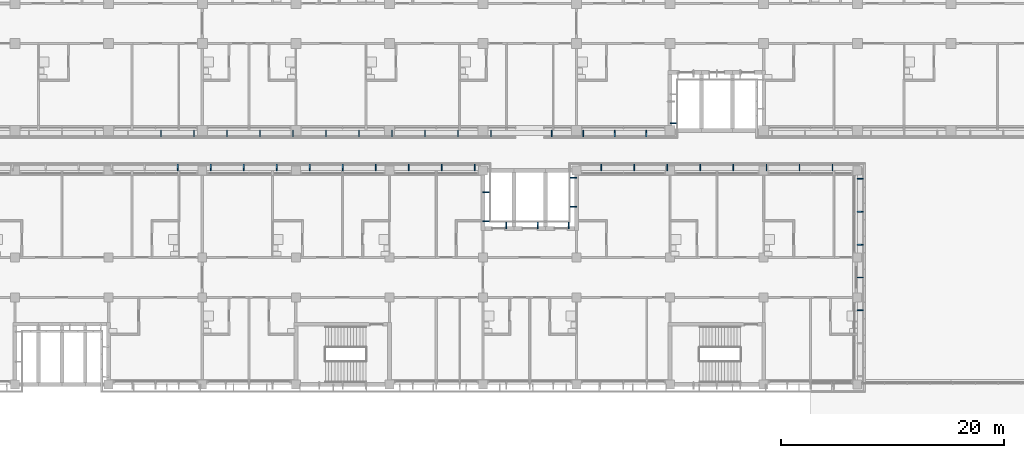
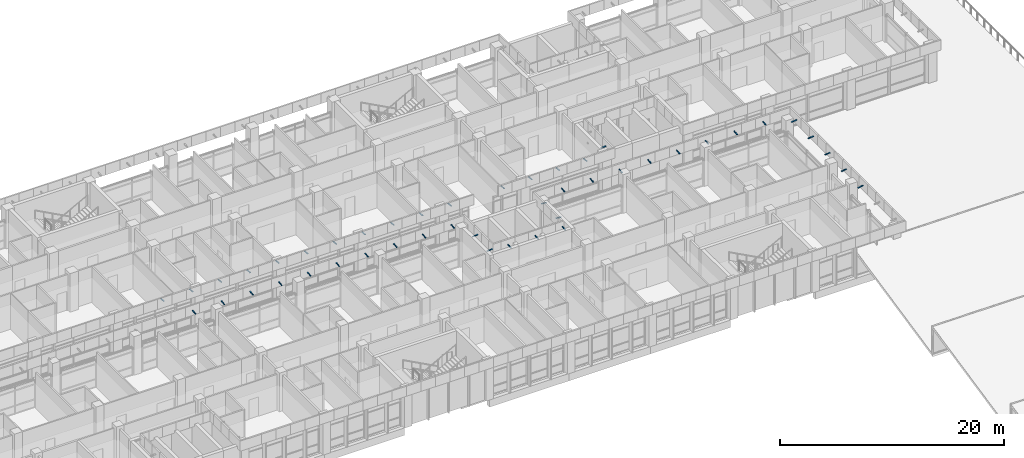
# One storey, part 106 of 137: 46 discrete accessories.
"""IFC4 building model written with IfcOpenShell, lengths in metres."""

from ifc_helpers import new_model, si_unit, direction, frame, origin, origin_2d, place, context, subcontext, project, spatial, rectangle, extrude, material, material_profile, profile_set, type_object, element, save


model = new_model("IFC4")

# Units and contexts
model_context = context("Model", 3, precision=1e-05, world=origin(), true_north=direction((0.0, 1.0)))
body_context = subcontext(model_context, "Body", "Model", "MODEL_VIEW")
ifc_project = project(units=[si_unit("LENGTHUNIT", "METRE"), si_unit("AREAUNIT", "SQUARE_METRE"), si_unit("VOLUMEUNIT", "CUBIC_METRE"), si_unit("PLANEANGLEUNIT", "RADIAN"), si_unit("MASSUNIT", "GRAM", prefix="KILO")], contexts=[model_context])

# Site, building, storey
site_placement = place(None, origin())
site = spatial("IfcSite", under=ifc_project, at=site_placement, CompositionType="ELEMENT")
building_placement = place(site_placement, origin())
building = spatial("IfcBuilding", under=site, at=building_placement, Name="Bougainvillea Quay General Hospital", CompositionType="ELEMENT")
storey_placement = place(building_placement, frame((0.0, 0.0, 16.800048828125)))
storey = spatial("IfcBuildingStorey", under=building, at=storey_placement, Name="L03", CompositionType="ELEMENT", Elevation=16.800048828125)

# Discrete accessories
ifc_material = material(Name="Stainless steel bracket, grade 316", Category="steel")
ifc_material_profile = material_profile(ifc_material, rectangle(XDim=0.080078125, YDim=0.050048828125, at=origin_2d()))
ifc_profile_set = profile_set([ifc_material_profile], Name="Stainless steel bracket, grade 316")
discrete_accessory_type = type_object("IfcDiscreteAccessoryType", Name="Stainless steel stand-off bracket 80x50", PredefinedType="BRACKET", material=ifc_profile_set)
for number, where, z_axis, x_axis, name in (
    (1, (140.56884765625, 140.39990234375, 4.139892578125), (0.0, -0.994086591779, 0.108590276011), (1.0, 0.0, 0.0), "Fascia bracket e0 1"),
    (2, (143.40380859375, 140.39990234375, 4.139892578125), (0.0, -0.994086591779, 0.108590276011), (1.0, 0.0, 0.0), "Fascia bracket e0 3"),
    (3, (146.23876953125, 140.39990234375, 4.139892578125), (0.0, -0.994086591779, 0.108590276011), (1.0, 0.0, 0.0), "Fascia bracket e0 5"),
    (4, (149.07373046875, 140.39990234375, 4.139892578125), (0.0, -0.994086591779, 0.108590276011), (1.0, 0.0, 0.0), "Fascia bracket e0 7"),
):
    element("IfcDiscreteAccessory", number, at=place(storey_placement, frame(where, z_axis=z_axis, x_axis=x_axis)), inside=storey, type_object=discrete_accessory_type, Name=name, PredefinedType="BRACKET", context=body_context, shape_type="SweptSolid", body=[
        extrude(rectangle(XDim=0.080078125, YDim=0.050048828125, at=origin_2d()), origin(), (0.0, 0.0, 1.0), 0.552978515625),
    ])
discrete_accessory_placement = place(storey_placement, frame((151.199951171875, 141.050048828125, 4.139892578125), z_axis=(0.994091793559, 0.0, 0.108542645901), x_axis=(0.0, 1.0, 0.0)))
element("IfcDiscreteAccessory", 5, at=discrete_accessory_placement, inside=storey, type_object=discrete_accessory_type, Name="Fascia bracket e0 9", PredefinedType="BRACKET", context=body_context, shape_type="SweptSolid", body=[
    extrude(rectangle(XDim=0.080078125, YDim=0.050048828125, at=origin_2d()), origin(), (0.0, 0.0, 1.0), 0.55322265625),
])
for number, where, z_axis, x_axis, name in (
    (6, (105.497314453125, 140.39990234375, 4.139892578125), (0.0, -0.994086591779, 0.108590276011), (1.0, 0.0, 0.0), "Fascia bracket e1 17"),
    (7, (108.45947265625, 140.39990234375, 4.139892578125), (0.0, -0.994086591779, 0.108590276011), (1.0, 0.0, 0.0), "Fascia bracket e1 19"),
    (8, (111.421630859375, 140.39990234375, 4.139892578125), (0.0, -0.994086591779, 0.108590276011), (1.0, 0.0, 0.0), "Fascia bracket e1 21"),
    (9, (114.3837890625, 140.39990234375, 4.139892578125), (0.0, -0.994086591779, 0.108590276011), (1.0, 0.0, 0.0), "Fascia bracket e1 23"),
    (10, (117.345703125, 140.39990234375, 4.139892578125), (0.0, -0.994086591779, 0.108590276011), (1.0, 0.0, 0.0), "Fascia bracket e1 25"),
    (11, (120.307861328125, 140.39990234375, 4.139892578125), (0.0, -0.994086591779, 0.108590276011), (1.0, 0.0, 0.0), "Fascia bracket e1 27"),
    (12, (123.27001953125, 140.39990234375, 4.139892578125), (0.0, -0.994086591779, 0.108590276011), (1.0, 0.0, 0.0), "Fascia bracket e1 29"),
    (13, (126.232177734375, 140.39990234375, 4.139892578125), (0.0, -0.994086591779, 0.108590276011), (1.0, 0.0, 0.0), "Fascia bracket e1 31"),
    (14, (129.194091796875, 140.39990234375, 4.139892578125), (0.0, -0.994086591779, 0.108590276011), (1.0, 0.0, 0.0), "Fascia bracket e1 33"),
    (15, (132.15625, 140.39990234375, 4.139892578125), (0.0, -0.994086591779, 0.108590276011), (1.0, 0.0, 0.0), "Fascia bracket e1 35"),
    (16, (135.118408203125, 140.39990234375, 4.139892578125), (0.0, -0.994086591779, 0.108590276011), (1.0, 0.0, 0.0), "Fascia bracket e1 37"),
):
    element("IfcDiscreteAccessory", number, at=place(storey_placement, frame(where, z_axis=z_axis, x_axis=x_axis)), inside=storey, type_object=discrete_accessory_type, Name=name, PredefinedType="BRACKET", context=body_context, shape_type="SweptSolid", body=[
        extrude(rectangle(XDim=0.080078125, YDim=0.050048828125, at=origin_2d()), origin(), (0.0, 0.0, 1.0), 0.552978515625),
    ])
for number, where, z_axis, x_axis, name in (
    (17, (168.0, 124.24609375, 4.139892578125), (0.994091793559, 0.0, 0.108542645901), (0.0, 1.0, 0.0), "Fascia bracket e1 75"),
    (18, (168.0, 127.199951171875, 4.139892578125), (0.994091793559, 0.0, 0.108542645901), (0.0, 1.0, 0.0), "Fascia bracket e1 77"),
    (19, (168.0, 130.15380859375, 4.139892578125), (0.994091793559, 0.0, 0.108542645901), (0.0, 1.0, 0.0), "Fascia bracket e1 79"),
    (20, (168.0, 133.107666015625, 4.139892578125), (0.994091793559, 0.0, 0.108542645901), (0.0, 1.0, 0.0), "Fascia bracket e1 81"),
    (21, (168.0, 136.0615234375, 4.139892578125), (0.994091793559, 0.0, 0.108542645901), (0.0, 1.0, 0.0), "Fascia bracket e1 83"),
    (22, (165.7763671875, 136.800048828125, 4.139892578125), (0.0, 0.994091793559, 0.108542645901), (-1.0, 0.0, 0.0), "Fascia bracket e1 85"),
    (23, (162.811767578125, 136.800048828125, 4.139892578125), (0.0, 0.994091793559, 0.108542645901), (-1.0, 0.0, 0.0), "Fascia bracket e1 87"),
    (24, (159.84716796875, 136.800048828125, 4.139892578125), (0.0, 0.994091793559, 0.108542645901), (-1.0, 0.0, 0.0), "Fascia bracket e1 89"),
    (25, (156.88232421875, 136.800048828125, 4.139892578125), (0.0, 0.994091793559, 0.108542645901), (-1.0, 0.0, 0.0), "Fascia bracket e1 91"),
    (26, (153.917724609375, 136.800048828125, 4.139892578125), (0.0, 0.994091793559, 0.108542645901), (-1.0, 0.0, 0.0), "Fascia bracket e1 93"),
    (27, (150.952880859375, 136.800048828125, 4.139892578125), (0.0, 0.994091793559, 0.108542645901), (-1.0, 0.0, 0.0), "Fascia bracket e1 95"),
    (28, (147.98828125, 136.800048828125, 4.139892578125), (0.0, 0.994091793559, 0.108542645901), (-1.0, 0.0, 0.0), "Fascia bracket e1 97"),
    (29, (145.0234375, 136.800048828125, 4.139892578125), (0.0, 0.994091793559, 0.108542645901), (-1.0, 0.0, 0.0), "Fascia bracket e1 99"),
    (30, (142.800048828125, 136.14990234375, 4.139892578125), (-0.994091793559, 0.0, 0.108542645901), (0.0, -1.0, 0.0), "Fascia bracket e1 101"),
    (31, (142.800048828125, 133.550048828125, 4.139892578125), (-0.994091793559, 0.0, 0.108542645901), (0.0, -1.0, 0.0), "Fascia bracket e1 103"),
):
    element("IfcDiscreteAccessory", number, at=place(storey_placement, frame(where, z_axis=z_axis, x_axis=x_axis)), inside=storey, type_object=discrete_accessory_type, Name=name, PredefinedType="BRACKET", context=body_context, shape_type="SweptSolid", body=[
        extrude(rectangle(XDim=0.080078125, YDim=0.050048828125, at=origin_2d()), origin(), (0.0, 0.0, 1.0), 0.55322265625),
    ])
for number, where, z_axis, x_axis, name in (
    (32, (142.10009765625, 131.60009765625, 4.139892578125), (0.0, 0.994086591779, 0.108590276011), (-1.0, 0.0, 0.0), "Fascia bracket e1 105"),
    (33, (139.300048828125, 131.60009765625, 4.139892578125), (0.0, 0.994086591779, 0.108590276011), (-1.0, 0.0, 0.0), "Fascia bracket e1 107"),
    (34, (136.5, 131.60009765625, 4.139892578125), (0.0, 0.994086591779, 0.108590276011), (-1.0, 0.0, 0.0), "Fascia bracket e1 109"),
):
    element("IfcDiscreteAccessory", number, at=place(storey_placement, frame(where, z_axis=z_axis, x_axis=x_axis)), inside=storey, type_object=discrete_accessory_type, Name=name, PredefinedType="BRACKET", context=body_context, shape_type="SweptSolid", body=[
        extrude(rectangle(XDim=0.080078125, YDim=0.050048828125, at=origin_2d()), origin(), (0.0, 0.0, 1.0), 0.552978515625),
    ])
for number, where, z_axis, x_axis, name in (
    (35, (134.39990234375, 132.25, 4.139892578125), (0.994091793559, 0.0, 0.108542645901), (0.0, 1.0, 0.0), "Fascia bracket e1 111"),
    (36, (134.39990234375, 134.85009765625, 4.139892578125), (0.994091793559, 0.0, 0.108542645901), (0.0, 1.0, 0.0), "Fascia bracket e1 113"),
    (37, (133.6591796875, 136.800048828125, 4.139892578125), (0.0, 0.994091793559, 0.108542645901), (-1.0, 0.0, 0.0), "Fascia bracket e1 115"),
    (38, (130.69580078125, 136.800048828125, 4.139892578125), (0.0, 0.994091793559, 0.108542645901), (-1.0, 0.0, 0.0), "Fascia bracket e1 117"),
    (39, (127.732421875, 136.800048828125, 4.139892578125), (0.0, 0.994091793559, 0.108542645901), (-1.0, 0.0, 0.0), "Fascia bracket e1 119"),
    (40, (124.769287109375, 136.800048828125, 4.139892578125), (0.0, 0.994091793559, 0.108542645901), (-1.0, 0.0, 0.0), "Fascia bracket e1 121"),
    (41, (121.805908203125, 136.800048828125, 4.139892578125), (0.0, 0.994091793559, 0.108542645901), (-1.0, 0.0, 0.0), "Fascia bracket e1 123"),
    (42, (118.842529296875, 136.800048828125, 4.139892578125), (0.0, 0.994091793559, 0.108542645901), (-1.0, 0.0, 0.0), "Fascia bracket e1 125"),
    (43, (115.879150390625, 136.800048828125, 4.139892578125), (0.0, 0.994091793559, 0.108542645901), (-1.0, 0.0, 0.0), "Fascia bracket e1 127"),
    (44, (112.915771484375, 136.800048828125, 4.139892578125), (0.0, 0.994091793559, 0.108542645901), (-1.0, 0.0, 0.0), "Fascia bracket e1 129"),
    (45, (109.952392578125, 136.800048828125, 4.139892578125), (0.0, 0.994091793559, 0.108542645901), (-1.0, 0.0, 0.0), "Fascia bracket e1 131"),
    (46, (106.9892578125, 136.800048828125, 4.139892578125), (0.0, 0.994091793559, 0.108542645901), (-1.0, 0.0, 0.0), "Fascia bracket e1 133"),
):
    element("IfcDiscreteAccessory", number, at=place(storey_placement, frame(where, z_axis=z_axis, x_axis=x_axis)), inside=storey, type_object=discrete_accessory_type, Name=name, PredefinedType="BRACKET", context=body_context, shape_type="SweptSolid", body=[
        extrude(rectangle(XDim=0.080078125, YDim=0.050048828125, at=origin_2d()), origin(), (0.0, 0.0, 1.0), 0.55322265625),
    ])

save(model, "model.ifc")
